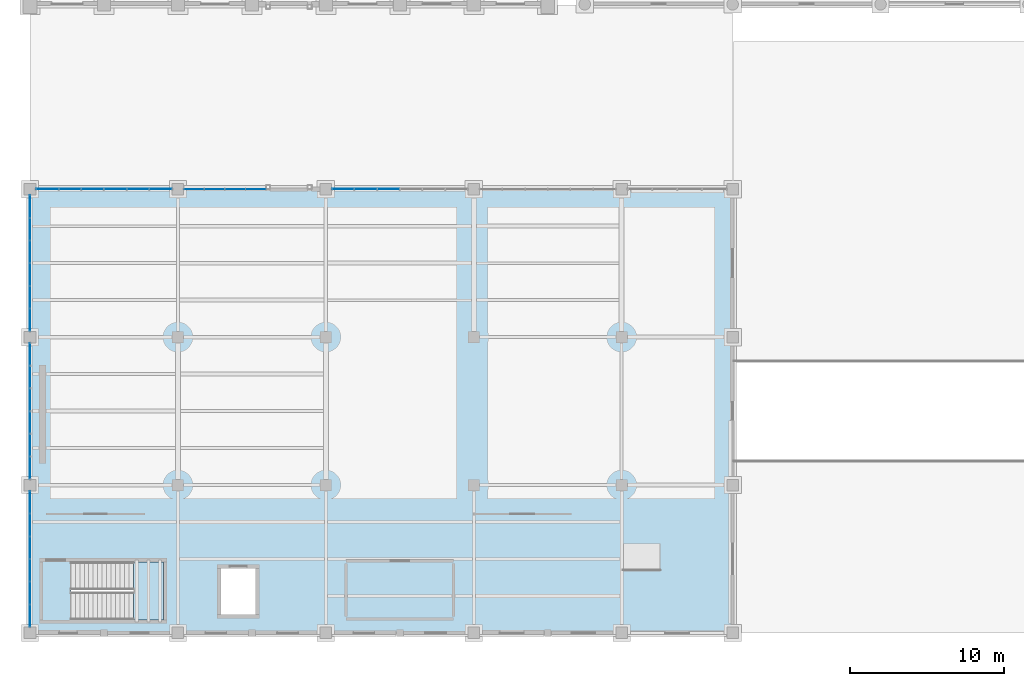
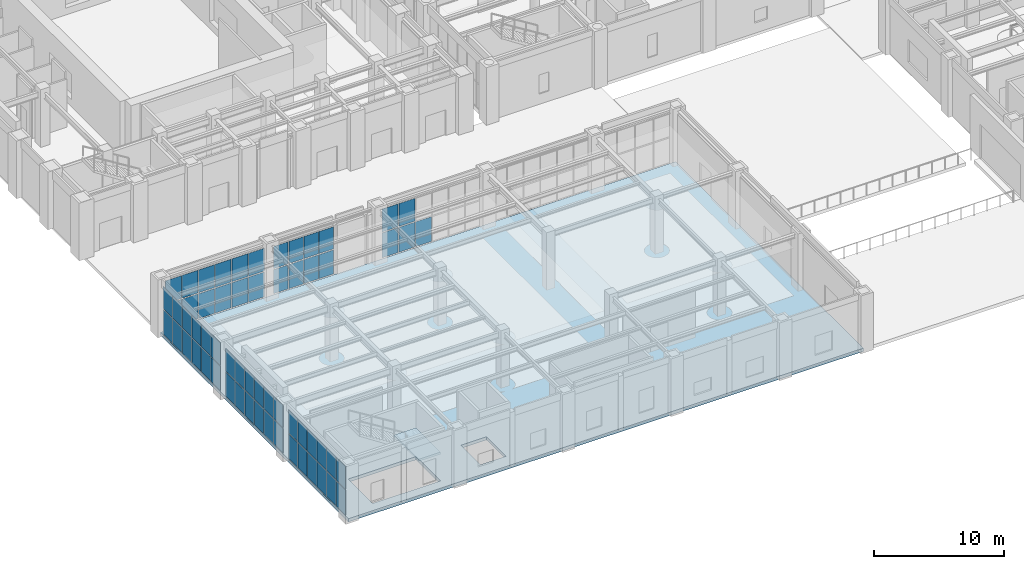
# One storey, part 115 of 164: 61 plates, 2 slabs, 7 elements without a shape of their own.
"""IFC4 building model written with IfcOpenShell, lengths in metres."""

from ifc_helpers import new_model, si_unit, direction, frame, origin, origin_2d, place, context, subcontext, project, spatial, polyline, rectangle, outline, extrude, material, layer, layer_set, type_object, element, aggregate, save


model = new_model("IFC4")

# Units and contexts
model_context = context("Model", 3, precision=1e-05, world=origin(), true_north=direction((0.0, 1.0)))
body_context = subcontext(model_context, "Body", "Model", "MODEL_VIEW")
ifc_project = project(units=[si_unit("LENGTHUNIT", "METRE"), si_unit("AREAUNIT", "SQUARE_METRE"), si_unit("VOLUMEUNIT", "CUBIC_METRE"), si_unit("PLANEANGLEUNIT", "RADIAN"), si_unit("MASSUNIT", "GRAM", prefix="KILO")], contexts=[model_context])

# Site, building, storey
site_placement = place(None, origin())
site = spatial("IfcSite", under=ifc_project, at=site_placement, CompositionType="ELEMENT")
building_placement = place(site_placement, origin())
building = spatial("IfcBuilding", under=site, at=building_placement, Name="Mavantir Sound Aquarium", CompositionType="ELEMENT")
storey_placement = place(building_placement, origin())
storey = spatial("IfcBuildingStorey", under=building, at=storey_placement, Name="L00", CompositionType="ELEMENT", Elevation=0.0)

# Curtain wall, plates
ifc_material_1 = material(Name="Anodised Marine Aluminium and Low-E Glass", Category="aluminium")
curtain_wall_type_1 = type_object("IfcCurtainWallType", Name="CW-T09", PredefinedType="USERDEFINED", material=ifc_material_1)
curtain_wall_1_placement = place(storey_placement, origin())
curtain_wall_1 = element("IfcCurtainWall", 1, at=curtain_wall_1_placement, inside=storey, type_object=curtain_wall_type_1, Name="L00 unitised curtain wall CW-09 9", ObjectType="UNITISED GLAZING", PredefinedType="USERDEFINED")
ifc_material_2 = material(Name="Solar-Control Laminated Low-E Glass", Category="glass")
ifc_layer_1 = layer(ifc_material_2, 0.028076171875, Name="Solar-Control Laminated Low-E Glass")
ifc_layer_set_1 = layer_set([ifc_layer_1], Name="Solar-Control Laminated Low-E Glass")
plate_type_1 = type_object("IfcPlateType", Name="CW-PNL-28", PredefinedType="CURTAIN_PANEL", material=ifc_layer_set_1)
plate_1_placement = place(storey_placement, frame((14.650146484375, 28.800048828125, 0.10302734375), z_axis=(0.0, 0.0, 1.0), x_axis=(-1.0, 0.0, 0.0)))
plate_1 = element("IfcPlate", 2, at=plate_1_placement, type_object=plate_type_1, Name="CW-L00-009 glazed curtain panel 1.1", PredefinedType="CURTAIN_PANEL", context=body_context, shape_type="SweptSolid", body=[
    extrude(rectangle(XDim=1.285400390625, YDim=0.028076171875, at=origin_2d()), origin(), (0.0, 0.0, 1.0), 2.251953125),
])
plate_2_placement = place(storey_placement, frame((14.650146484375, 28.800048828125, 2.45068359375), z_axis=(0.0, 0.0, 1.0), x_axis=(-1.0, 0.0, 0.0)))
plate_2 = element("IfcPlate", 3, at=plate_2_placement, type_object=plate_type_1, Name="CW-L00-009 glazed curtain panel 1.2", PredefinedType="CURTAIN_PANEL", context=body_context, shape_type="SweptSolid", body=[
    extrude(rectangle(XDim=1.285400390625, YDim=0.028076171875, at=origin_2d()), origin(), (0.0, 0.0, 1.0), 2.067138671875),
])
plate_3_placement = place(storey_placement, frame((13.31689453125, 28.800048828125, 0.10302734375), z_axis=(0.0, 0.0, 1.0), x_axis=(-1.0, 0.0, 0.0)))
plate_3 = element("IfcPlate", 4, at=plate_3_placement, type_object=plate_type_1, Name="CW-L00-009 glazed curtain panel 2.1", PredefinedType="CURTAIN_PANEL", context=body_context, shape_type="SweptSolid", body=[
    extrude(rectangle(XDim=1.285400390625, YDim=0.028076171875, at=origin_2d()), origin(), (0.0, 0.0, 1.0), 2.251953125),
])
plate_4_placement = place(storey_placement, frame((13.31689453125, 28.800048828125, 2.45068359375), z_axis=(0.0, 0.0, 1.0), x_axis=(-1.0, 0.0, 0.0)))
plate_4 = element("IfcPlate", 5, at=plate_4_placement, type_object=plate_type_1, Name="CW-L00-009 glazed curtain panel 2.2", PredefinedType="CURTAIN_PANEL", context=body_context, shape_type="SweptSolid", body=[
    extrude(rectangle(XDim=1.285400390625, YDim=0.028076171875, at=origin_2d()), origin(), (0.0, 0.0, 1.0), 2.067138671875),
])
plate_5_placement = place(storey_placement, frame((11.983154296875, 28.800048828125, 0.10302734375), z_axis=(0.0, 0.0, 1.0), x_axis=(-1.0, 0.0, 0.0)))
plate_5 = element("IfcPlate", 6, at=plate_5_placement, type_object=plate_type_1, Name="CW-L00-009 glazed curtain panel 3.1", PredefinedType="CURTAIN_PANEL", context=body_context, shape_type="SweptSolid", body=[
    extrude(rectangle(XDim=1.285400390625, YDim=0.028076171875, at=origin_2d()), origin(), (0.0, 0.0, 1.0), 2.251953125),
])
plate_6_placement = place(storey_placement, frame((11.983154296875, 28.800048828125, 2.45068359375), z_axis=(0.0, 0.0, 1.0), x_axis=(-1.0, 0.0, 0.0)))
plate_6 = element("IfcPlate", 7, at=plate_6_placement, type_object=plate_type_1, Name="CW-L00-009 glazed curtain panel 3.2", PredefinedType="CURTAIN_PANEL", context=body_context, shape_type="SweptSolid", body=[
    extrude(rectangle(XDim=1.285400390625, YDim=0.028076171875, at=origin_2d()), origin(), (0.0, 0.0, 1.0), 2.067138671875),
])
plate_7_placement = place(storey_placement, frame((10.64990234375, 28.800048828125, 0.10302734375), z_axis=(0.0, 0.0, 1.0), x_axis=(-1.0, 0.0, 0.0)))
plate_7 = element("IfcPlate", 8, at=plate_7_placement, type_object=plate_type_1, Name="CW-L00-009 glazed curtain panel 4.1", PredefinedType="CURTAIN_PANEL", context=body_context, shape_type="SweptSolid", body=[
    extrude(rectangle(XDim=1.285400390625, YDim=0.028076171875, at=origin_2d()), origin(), (0.0, 0.0, 1.0), 2.251953125),
])
plate_8_placement = place(storey_placement, frame((10.64990234375, 28.800048828125, 2.45068359375), z_axis=(0.0, 0.0, 1.0), x_axis=(-1.0, 0.0, 0.0)))
plate_8 = element("IfcPlate", 9, at=plate_8_placement, type_object=plate_type_1, Name="CW-L00-009 glazed curtain panel 4.2", PredefinedType="CURTAIN_PANEL", context=body_context, shape_type="SweptSolid", body=[
    extrude(rectangle(XDim=1.285400390625, YDim=0.028076171875, at=origin_2d()), origin(), (0.0, 0.0, 1.0), 2.067138671875),
])
aggregate(curtain_wall_1, [plate_1, plate_2, plate_3, plate_4, plate_5, plate_6, plate_7, plate_8])

curtain_wall_type_2 = type_object("IfcCurtainWallType", Name="CW-T11", PredefinedType="USERDEFINED", material=ifc_material_1)
curtain_wall_2_placement = place(storey_placement, origin())
curtain_wall_2 = element("IfcCurtainWall", 10, at=curtain_wall_2_placement, inside=storey, type_object=curtain_wall_type_2, Name="L00 unitised curtain wall CW-11 11", ObjectType="UNITISED GLAZING", PredefinedType="USERDEFINED")
plate_9_placement = place(storey_placement, frame((0.0, 27.680908203125, 0.10302734375), z_axis=(0.0, 0.0, 1.0), x_axis=(0.0, -1.0, 0.0)))
plate_9 = element("IfcPlate", 11, at=plate_9_placement, type_object=plate_type_1, Name="CW-L00-011 glazed curtain panel 1.1", PredefinedType="CURTAIN_PANEL", context=body_context, shape_type="SweptSolid", body=[
    extrude(rectangle(XDim=1.42431640625, YDim=0.028076171875, at=origin_2d()), origin(), (0.0, 0.0, 1.0), 2.2666015625),
])
plate_10_placement = place(storey_placement, frame((0.0, 27.680908203125, 2.46533203125), z_axis=(0.0, 0.0, 1.0), x_axis=(0.0, -1.0, 0.0)))
plate_10 = element("IfcPlate", 12, at=plate_10_placement, type_object=plate_type_1, Name="CW-L00-011 glazed curtain panel 1.2", PredefinedType="CURTAIN_PANEL", context=body_context, shape_type="SweptSolid", body=[
    extrude(rectangle(XDim=1.42431640625, YDim=0.028076171875, at=origin_2d()), origin(), (0.0, 0.0, 1.0), 2.08056640625),
])
plate_11_placement = place(storey_placement, frame((0.0, 26.20849609375, 0.10302734375), z_axis=(0.0, 0.0, 1.0), x_axis=(0.0, -1.0, 0.0)))
plate_11 = element("IfcPlate", 13, at=plate_11_placement, type_object=plate_type_1, Name="CW-L00-011 glazed curtain panel 2.1", PredefinedType="CURTAIN_PANEL", context=body_context, shape_type="SweptSolid", body=[
    extrude(rectangle(XDim=1.42431640625, YDim=0.028076171875, at=origin_2d()), origin(), (0.0, 0.0, 1.0), 2.2666015625),
])
plate_12_placement = place(storey_placement, frame((0.0, 26.20849609375, 2.46533203125), z_axis=(0.0, 0.0, 1.0), x_axis=(0.0, -1.0, 0.0)))
plate_12 = element("IfcPlate", 14, at=plate_12_placement, type_object=plate_type_1, Name="CW-L00-011 glazed curtain panel 2.2", PredefinedType="CURTAIN_PANEL", context=body_context, shape_type="SweptSolid", body=[
    extrude(rectangle(XDim=1.42431640625, YDim=0.028076171875, at=origin_2d()), origin(), (0.0, 0.0, 1.0), 2.08056640625),
])
plate_13_placement = place(storey_placement, frame((0.0, 24.736083984375, 0.10302734375), z_axis=(0.0, 0.0, 1.0), x_axis=(0.0, -1.0, 0.0)))
plate_13 = element("IfcPlate", 15, at=plate_13_placement, type_object=plate_type_1, Name="CW-L00-011 glazed curtain panel 3.1", PredefinedType="CURTAIN_PANEL", context=body_context, shape_type="SweptSolid", body=[
    extrude(rectangle(XDim=1.42431640625, YDim=0.028076171875, at=origin_2d()), origin(), (0.0, 0.0, 1.0), 2.2666015625),
])
plate_14_placement = place(storey_placement, frame((0.0, 24.736083984375, 2.46533203125), z_axis=(0.0, 0.0, 1.0), x_axis=(0.0, -1.0, 0.0)))
plate_14 = element("IfcPlate", 16, at=plate_14_placement, type_object=plate_type_1, Name="CW-L00-011 glazed curtain panel 3.2", PredefinedType="CURTAIN_PANEL", context=body_context, shape_type="SweptSolid", body=[
    extrude(rectangle(XDim=1.42431640625, YDim=0.028076171875, at=origin_2d()), origin(), (0.0, 0.0, 1.0), 2.08056640625),
])
plate_15_placement = place(storey_placement, frame((0.0, 23.263916015625, 0.10302734375), z_axis=(0.0, 0.0, 1.0), x_axis=(0.0, -1.0, 0.0)))
plate_15 = element("IfcPlate", 17, at=plate_15_placement, type_object=plate_type_1, Name="CW-L00-011 glazed curtain panel 4.1", PredefinedType="CURTAIN_PANEL", context=body_context, shape_type="SweptSolid", body=[
    extrude(rectangle(XDim=1.42431640625, YDim=0.028076171875, at=origin_2d()), origin(), (0.0, 0.0, 1.0), 2.2666015625),
])
plate_16_placement = place(storey_placement, frame((0.0, 23.263916015625, 2.46533203125), z_axis=(0.0, 0.0, 1.0), x_axis=(0.0, -1.0, 0.0)))
plate_16 = element("IfcPlate", 18, at=plate_16_placement, type_object=plate_type_1, Name="CW-L00-011 glazed curtain panel 4.2", PredefinedType="CURTAIN_PANEL", context=body_context, shape_type="SweptSolid", body=[
    extrude(rectangle(XDim=1.42431640625, YDim=0.028076171875, at=origin_2d()), origin(), (0.0, 0.0, 1.0), 2.08056640625),
])
plate_17_placement = place(storey_placement, frame((0.0, 21.79150390625, 0.10302734375), z_axis=(0.0, 0.0, 1.0), x_axis=(0.0, -1.0, 0.0)))
plate_17 = element("IfcPlate", 19, at=plate_17_placement, type_object=plate_type_1, Name="CW-L00-011 glazed curtain panel 5.1", PredefinedType="CURTAIN_PANEL", context=body_context, shape_type="SweptSolid", body=[
    extrude(rectangle(XDim=1.42431640625, YDim=0.028076171875, at=origin_2d()), origin(), (0.0, 0.0, 1.0), 2.2666015625),
])
plate_18_placement = place(storey_placement, frame((0.0, 21.79150390625, 2.46533203125), z_axis=(0.0, 0.0, 1.0), x_axis=(0.0, -1.0, 0.0)))
plate_18 = element("IfcPlate", 20, at=plate_18_placement, type_object=plate_type_1, Name="CW-L00-011 glazed curtain panel 5.2", PredefinedType="CURTAIN_PANEL", context=body_context, shape_type="SweptSolid", body=[
    extrude(rectangle(XDim=1.42431640625, YDim=0.028076171875, at=origin_2d()), origin(), (0.0, 0.0, 1.0), 2.08056640625),
])
plate_19_placement = place(storey_placement, frame((0.0, 20.319091796875, 0.10302734375), z_axis=(0.0, 0.0, 1.0), x_axis=(0.0, -1.0, 0.0)))
plate_19 = element("IfcPlate", 21, at=plate_19_placement, type_object=plate_type_1, Name="CW-L00-011 glazed curtain panel 6.1", PredefinedType="CURTAIN_PANEL", context=body_context, shape_type="SweptSolid", body=[
    extrude(rectangle(XDim=1.42431640625, YDim=0.028076171875, at=origin_2d()), origin(), (0.0, 0.0, 1.0), 2.2666015625),
])
plate_20_placement = place(storey_placement, frame((0.0, 20.319091796875, 2.46533203125), z_axis=(0.0, 0.0, 1.0), x_axis=(0.0, -1.0, 0.0)))
plate_20 = element("IfcPlate", 22, at=plate_20_placement, type_object=plate_type_1, Name="CW-L00-011 glazed curtain panel 6.2", PredefinedType="CURTAIN_PANEL", context=body_context, shape_type="SweptSolid", body=[
    extrude(rectangle(XDim=1.42431640625, YDim=0.028076171875, at=origin_2d()), origin(), (0.0, 0.0, 1.0), 2.08056640625),
])
aggregate(curtain_wall_2, [plate_9, plate_10, plate_11, plate_12, plate_13, plate_14, plate_15, plate_16, plate_17, plate_18, plate_19, plate_20])

curtain_wall_type_3 = type_object("IfcCurtainWallType", Name="CW-T13", PredefinedType="USERDEFINED", material=ifc_material_1)
curtain_wall_3_placement = place(storey_placement, origin())
curtain_wall_3 = element("IfcCurtainWall", 23, at=curtain_wall_3_placement, inside=storey, type_object=curtain_wall_type_3, Name="L00 unitised curtain wall CW-13 13", ObjectType="UNITISED GLAZING", PredefinedType="USERDEFINED")
plate_21_placement = place(storey_placement, frame((0.0, 8.480712890625, 0.10302734375), z_axis=(0.0, 0.0, 1.0), x_axis=(0.0, -1.0, 0.0)))
plate_21 = element("IfcPlate", 24, at=plate_21_placement, type_object=plate_type_1, Name="CW-L00-013 glazed curtain panel 1.1", PredefinedType="CURTAIN_PANEL", context=body_context, shape_type="SweptSolid", body=[
    extrude(rectangle(XDim=1.42431640625, YDim=0.028076171875, at=origin_2d()), origin(), (0.0, 0.0, 1.0), 2.3232421875),
])
plate_22_placement = place(storey_placement, frame((0.0, 8.480712890625, 2.522216796875), z_axis=(0.0, 0.0, 1.0), x_axis=(0.0, -1.0, 0.0)))
plate_22 = element("IfcPlate", 25, at=plate_22_placement, type_object=plate_type_1, Name="CW-L00-013 glazed curtain panel 1.2", PredefinedType="CURTAIN_PANEL", context=body_context, shape_type="SweptSolid", body=[
    extrude(rectangle(XDim=1.42431640625, YDim=0.028076171875, at=origin_2d()), origin(), (0.0, 0.0, 1.0), 2.1328125),
])
plate_23_placement = place(storey_placement, frame((0.0, 7.008544921875, 0.10302734375), z_axis=(0.0, 0.0, 1.0), x_axis=(0.0, -1.0, 0.0)))
plate_23 = element("IfcPlate", 26, at=plate_23_placement, type_object=plate_type_1, Name="CW-L00-013 glazed curtain panel 2.1", PredefinedType="CURTAIN_PANEL", context=body_context, shape_type="SweptSolid", body=[
    extrude(rectangle(XDim=1.42431640625, YDim=0.028076171875, at=origin_2d()), origin(), (0.0, 0.0, 1.0), 2.3232421875),
])
plate_24_placement = place(storey_placement, frame((0.0, 7.008544921875, 2.522216796875), z_axis=(0.0, 0.0, 1.0), x_axis=(0.0, -1.0, 0.0)))
plate_24 = element("IfcPlate", 27, at=plate_24_placement, type_object=plate_type_1, Name="CW-L00-013 glazed curtain panel 2.2", PredefinedType="CURTAIN_PANEL", context=body_context, shape_type="SweptSolid", body=[
    extrude(rectangle(XDim=1.42431640625, YDim=0.028076171875, at=origin_2d()), origin(), (0.0, 0.0, 1.0), 2.1328125),
])
plate_25_placement = place(storey_placement, frame((0.0, 5.5361328125, 0.10302734375), z_axis=(0.0, 0.0, 1.0), x_axis=(0.0, -1.0, 0.0)))
plate_25 = element("IfcPlate", 28, at=plate_25_placement, type_object=plate_type_1, Name="CW-L00-013 glazed curtain panel 3.1", PredefinedType="CURTAIN_PANEL", context=body_context, shape_type="SweptSolid", body=[
    extrude(rectangle(XDim=1.42431640625, YDim=0.028076171875, at=origin_2d()), origin(), (0.0, 0.0, 1.0), 2.3232421875),
])
plate_26_placement = place(storey_placement, frame((0.0, 5.5361328125, 2.522216796875), z_axis=(0.0, 0.0, 1.0), x_axis=(0.0, -1.0, 0.0)))
plate_26 = element("IfcPlate", 29, at=plate_26_placement, type_object=plate_type_1, Name="CW-L00-013 glazed curtain panel 3.2", PredefinedType="CURTAIN_PANEL", context=body_context, shape_type="SweptSolid", body=[
    extrude(rectangle(XDim=1.42431640625, YDim=0.028076171875, at=origin_2d()), origin(), (0.0, 0.0, 1.0), 2.1328125),
])
plate_27_placement = place(storey_placement, frame((0.0, 4.063720703125, 0.10302734375), z_axis=(0.0, 0.0, 1.0), x_axis=(0.0, -1.0, 0.0)))
plate_27 = element("IfcPlate", 30, at=plate_27_placement, type_object=plate_type_1, Name="CW-L00-013 glazed curtain panel 4.1", PredefinedType="CURTAIN_PANEL", context=body_context, shape_type="SweptSolid", body=[
    extrude(rectangle(XDim=1.42431640625, YDim=0.028076171875, at=origin_2d()), origin(), (0.0, 0.0, 1.0), 2.3232421875),
])
plate_28_placement = place(storey_placement, frame((0.0, 4.063720703125, 2.522216796875), z_axis=(0.0, 0.0, 1.0), x_axis=(0.0, -1.0, 0.0)))
plate_28 = element("IfcPlate", 31, at=plate_28_placement, type_object=plate_type_1, Name="CW-L00-013 glazed curtain panel 4.2", PredefinedType="CURTAIN_PANEL", context=body_context, shape_type="SweptSolid", body=[
    extrude(rectangle(XDim=1.42431640625, YDim=0.028076171875, at=origin_2d()), origin(), (0.0, 0.0, 1.0), 2.1328125),
])
plate_29_placement = place(storey_placement, frame((0.0, 2.591552734375, 0.10302734375), z_axis=(0.0, 0.0, 1.0), x_axis=(0.0, -1.0, 0.0)))
plate_29 = element("IfcPlate", 32, at=plate_29_placement, type_object=plate_type_1, Name="CW-L00-013 glazed curtain panel 5.1", PredefinedType="CURTAIN_PANEL", context=body_context, shape_type="SweptSolid", body=[
    extrude(rectangle(XDim=1.42431640625, YDim=0.028076171875, at=origin_2d()), origin(), (0.0, 0.0, 1.0), 2.3232421875),
])
plate_30_placement = place(storey_placement, frame((0.0, 2.591552734375, 2.522216796875), z_axis=(0.0, 0.0, 1.0), x_axis=(0.0, -1.0, 0.0)))
plate_30 = element("IfcPlate", 33, at=plate_30_placement, type_object=plate_type_1, Name="CW-L00-013 glazed curtain panel 5.2", PredefinedType="CURTAIN_PANEL", context=body_context, shape_type="SweptSolid", body=[
    extrude(rectangle(XDim=1.42431640625, YDim=0.028076171875, at=origin_2d()), origin(), (0.0, 0.0, 1.0), 2.1328125),
])
plate_31_placement = place(storey_placement, frame((0.0, 1.119140625, 0.10302734375), z_axis=(0.0, 0.0, 1.0), x_axis=(0.0, -1.0, 0.0)))
plate_31 = element("IfcPlate", 34, at=plate_31_placement, type_object=plate_type_1, Name="CW-L00-013 glazed curtain panel 6.1", PredefinedType="CURTAIN_PANEL", context=body_context, shape_type="SweptSolid", body=[
    extrude(rectangle(XDim=1.42431640625, YDim=0.028076171875, at=origin_2d()), origin(), (0.0, 0.0, 1.0), 2.3232421875),
])
plate_32_placement = place(storey_placement, frame((0.0, 1.119140625, 2.522216796875), z_axis=(0.0, 0.0, 1.0), x_axis=(0.0, -1.0, 0.0)))
plate_32 = element("IfcPlate", 35, at=plate_32_placement, type_object=plate_type_1, Name="CW-L00-013 glazed curtain panel 6.2", PredefinedType="CURTAIN_PANEL", context=body_context, shape_type="SweptSolid", body=[
    extrude(rectangle(XDim=1.42431640625, YDim=0.028076171875, at=origin_2d()), origin(), (0.0, 0.0, 1.0), 2.1328125),
])
aggregate(curtain_wall_3, [plate_21, plate_22, plate_23, plate_24, plate_25, plate_26, plate_27, plate_28, plate_29, plate_30, plate_31, plate_32])

curtain_wall_type_4 = type_object("IfcCurtainWallType", Name="CW-T08", PredefinedType="USERDEFINED", material=ifc_material_1)
curtain_wall_4_placement = place(storey_placement, origin())
curtain_wall_4 = element("IfcCurtainWall", 36, at=curtain_wall_4_placement, inside=storey, type_object=curtain_wall_type_4, Name="L00 unitised curtain wall CW-08 8", ObjectType="UNITISED GLAZING", PredefinedType="USERDEFINED")
ifc_layer_2 = layer(ifc_material_2, 0.031982421875, Name="Solar-Control Laminated Low-E Glass")
ifc_layer_set_2 = layer_set([ifc_layer_2], Name="Solar-Control Laminated Low-E Glass")
plate_type_2 = type_object("IfcPlateType", Name="CW-PNL-32", PredefinedType="CURTAIN_PANEL", material=ifc_layer_set_2)
plate_33_placement = place(storey_placement, frame((23.263916015625, 28.800048828125, 0.10302734375), z_axis=(0.0, 0.0, 1.0), x_axis=(-1.0, 0.0, 0.0)))
plate_33 = element("IfcPlate", 37, at=plate_33_placement, type_object=plate_type_2, Name="CW-L00-008 glazed curtain panel 4.1", PredefinedType="CURTAIN_PANEL", context=body_context, shape_type="SweptSolid", body=[
    extrude(rectangle(XDim=1.42431640625, YDim=0.031982421875, at=origin_2d()), origin(), (0.0, 0.0, 1.0), 2.3232421875),
])
plate_34_placement = place(storey_placement, frame((21.79150390625, 28.800048828125, 0.10302734375), z_axis=(0.0, 0.0, 1.0), x_axis=(-1.0, 0.0, 0.0)))
plate_34 = element("IfcPlate", 38, at=plate_34_placement, type_object=plate_type_2, Name="CW-L00-008 glazed curtain panel 5.1", PredefinedType="CURTAIN_PANEL", context=body_context, shape_type="SweptSolid", body=[
    extrude(rectangle(XDim=1.42431640625, YDim=0.031982421875, at=origin_2d()), origin(), (0.0, 0.0, 1.0), 2.3232421875),
])
plate_35_placement = place(storey_placement, frame((21.79150390625, 28.800048828125, 2.522216796875), z_axis=(0.0, 0.0, 1.0), x_axis=(-1.0, 0.0, 0.0)))
plate_35 = element("IfcPlate", 39, at=plate_35_placement, type_object=plate_type_2, Name="CW-L00-008 glazed curtain panel 5.2", PredefinedType="CURTAIN_PANEL", context=body_context, shape_type="SweptSolid", body=[
    extrude(rectangle(XDim=1.42431640625, YDim=0.031982421875, at=origin_2d()), origin(), (0.0, 0.0, 1.0), 2.1328125),
])
plate_36_placement = place(storey_placement, frame((20.319091796875, 28.800048828125, 0.10302734375), z_axis=(0.0, 0.0, 1.0), x_axis=(-1.0, 0.0, 0.0)))
plate_36 = element("IfcPlate", 40, at=plate_36_placement, type_object=plate_type_2, Name="CW-L00-008 glazed curtain panel 6.1", PredefinedType="CURTAIN_PANEL", context=body_context, shape_type="SweptSolid", body=[
    extrude(rectangle(XDim=1.42431640625, YDim=0.031982421875, at=origin_2d()), origin(), (0.0, 0.0, 1.0), 2.3232421875),
])
plate_37_placement = place(storey_placement, frame((20.319091796875, 28.800048828125, 2.522216796875), z_axis=(0.0, 0.0, 1.0), x_axis=(-1.0, 0.0, 0.0)))
plate_37 = element("IfcPlate", 41, at=plate_37_placement, type_object=plate_type_2, Name="CW-L00-008 glazed curtain panel 6.2", PredefinedType="CURTAIN_PANEL", context=body_context, shape_type="SweptSolid", body=[
    extrude(rectangle(XDim=1.42431640625, YDim=0.031982421875, at=origin_2d()), origin(), (0.0, 0.0, 1.0), 2.1328125),
])
aggregate(curtain_wall_4, [plate_33, plate_34, plate_35, plate_36, plate_37])

curtain_wall_type_5 = type_object("IfcCurtainWallType", Name="CW-T10", PredefinedType="USERDEFINED", material=ifc_material_1)
curtain_wall_5_placement = place(storey_placement, origin())
curtain_wall_5 = element("IfcCurtainWall", 42, at=curtain_wall_5_placement, inside=storey, type_object=curtain_wall_type_5, Name="L00 unitised curtain wall CW-10 10", ObjectType="UNITISED GLAZING", PredefinedType="USERDEFINED")
plate_38_placement = place(storey_placement, frame((8.480712890625, 28.800048828125, 0.10302734375), z_axis=(0.0, 0.0, 1.0), x_axis=(-1.0, 0.0, 0.0)))
plate_38 = element("IfcPlate", 43, at=plate_38_placement, type_object=plate_type_2, Name="CW-L00-010 glazed curtain panel 1.1", PredefinedType="CURTAIN_PANEL", context=body_context, shape_type="SweptSolid", body=[
    extrude(rectangle(XDim=1.42431640625, YDim=0.031982421875, at=origin_2d()), origin(), (0.0, 0.0, 1.0), 2.3232421875),
])
plate_39_placement = place(storey_placement, frame((8.480712890625, 28.800048828125, 2.522216796875), z_axis=(0.0, 0.0, 1.0), x_axis=(-1.0, 0.0, 0.0)))
plate_39 = element("IfcPlate", 44, at=plate_39_placement, type_object=plate_type_2, Name="CW-L00-010 glazed curtain panel 1.2", PredefinedType="CURTAIN_PANEL", context=body_context, shape_type="SweptSolid", body=[
    extrude(rectangle(XDim=1.42431640625, YDim=0.031982421875, at=origin_2d()), origin(), (0.0, 0.0, 1.0), 2.1328125),
])
plate_40_placement = place(storey_placement, frame((7.008544921875, 28.800048828125, 0.10302734375), z_axis=(0.0, 0.0, 1.0), x_axis=(-1.0, 0.0, 0.0)))
plate_40 = element("IfcPlate", 45, at=plate_40_placement, type_object=plate_type_2, Name="CW-L00-010 glazed curtain panel 2.1", PredefinedType="CURTAIN_PANEL", context=body_context, shape_type="SweptSolid", body=[
    extrude(rectangle(XDim=1.42431640625, YDim=0.031982421875, at=origin_2d()), origin(), (0.0, 0.0, 1.0), 2.3232421875),
])
plate_41_placement = place(storey_placement, frame((7.008544921875, 28.800048828125, 2.522216796875), z_axis=(0.0, 0.0, 1.0), x_axis=(-1.0, 0.0, 0.0)))
plate_41 = element("IfcPlate", 46, at=plate_41_placement, type_object=plate_type_2, Name="CW-L00-010 glazed curtain panel 2.2", PredefinedType="CURTAIN_PANEL", context=body_context, shape_type="SweptSolid", body=[
    extrude(rectangle(XDim=1.42431640625, YDim=0.031982421875, at=origin_2d()), origin(), (0.0, 0.0, 1.0), 2.1328125),
])
plate_42_placement = place(storey_placement, frame((5.5361328125, 28.800048828125, 0.10302734375), z_axis=(0.0, 0.0, 1.0), x_axis=(-1.0, 0.0, 0.0)))
plate_42 = element("IfcPlate", 47, at=plate_42_placement, type_object=plate_type_2, Name="CW-L00-010 glazed curtain panel 3.1", PredefinedType="CURTAIN_PANEL", context=body_context, shape_type="SweptSolid", body=[
    extrude(rectangle(XDim=1.42431640625, YDim=0.031982421875, at=origin_2d()), origin(), (0.0, 0.0, 1.0), 2.3232421875),
])
plate_43_placement = place(storey_placement, frame((5.5361328125, 28.800048828125, 2.522216796875), z_axis=(0.0, 0.0, 1.0), x_axis=(-1.0, 0.0, 0.0)))
plate_43 = element("IfcPlate", 48, at=plate_43_placement, type_object=plate_type_2, Name="CW-L00-010 glazed curtain panel 3.2", PredefinedType="CURTAIN_PANEL", context=body_context, shape_type="SweptSolid", body=[
    extrude(rectangle(XDim=1.42431640625, YDim=0.031982421875, at=origin_2d()), origin(), (0.0, 0.0, 1.0), 2.1328125),
])
plate_44_placement = place(storey_placement, frame((4.063720703125, 28.800048828125, 0.10302734375), z_axis=(0.0, 0.0, 1.0), x_axis=(-1.0, 0.0, 0.0)))
plate_44 = element("IfcPlate", 49, at=plate_44_placement, type_object=plate_type_2, Name="CW-L00-010 glazed curtain panel 4.1", PredefinedType="CURTAIN_PANEL", context=body_context, shape_type="SweptSolid", body=[
    extrude(rectangle(XDim=1.42431640625, YDim=0.031982421875, at=origin_2d()), origin(), (0.0, 0.0, 1.0), 2.3232421875),
])
plate_45_placement = place(storey_placement, frame((4.063720703125, 28.800048828125, 2.522216796875), z_axis=(0.0, 0.0, 1.0), x_axis=(-1.0, 0.0, 0.0)))
plate_45 = element("IfcPlate", 50, at=plate_45_placement, type_object=plate_type_2, Name="CW-L00-010 glazed curtain panel 4.2", PredefinedType="CURTAIN_PANEL", context=body_context, shape_type="SweptSolid", body=[
    extrude(rectangle(XDim=1.42431640625, YDim=0.031982421875, at=origin_2d()), origin(), (0.0, 0.0, 1.0), 2.1328125),
])
plate_46_placement = place(storey_placement, frame((2.591552734375, 28.800048828125, 0.10302734375), z_axis=(0.0, 0.0, 1.0), x_axis=(-1.0, 0.0, 0.0)))
plate_46 = element("IfcPlate", 51, at=plate_46_placement, type_object=plate_type_2, Name="CW-L00-010 glazed curtain panel 5.1", PredefinedType="CURTAIN_PANEL", context=body_context, shape_type="SweptSolid", body=[
    extrude(rectangle(XDim=1.42431640625, YDim=0.031982421875, at=origin_2d()), origin(), (0.0, 0.0, 1.0), 2.3232421875),
])
plate_47_placement = place(storey_placement, frame((2.591552734375, 28.800048828125, 2.522216796875), z_axis=(0.0, 0.0, 1.0), x_axis=(-1.0, 0.0, 0.0)))
plate_47 = element("IfcPlate", 52, at=plate_47_placement, type_object=plate_type_2, Name="CW-L00-010 glazed curtain panel 5.2", PredefinedType="CURTAIN_PANEL", context=body_context, shape_type="SweptSolid", body=[
    extrude(rectangle(XDim=1.42431640625, YDim=0.031982421875, at=origin_2d()), origin(), (0.0, 0.0, 1.0), 2.1328125),
])
plate_48_placement = place(storey_placement, frame((1.119140625, 28.800048828125, 0.10302734375), z_axis=(0.0, 0.0, 1.0), x_axis=(-1.0, 0.0, 0.0)))
plate_48 = element("IfcPlate", 53, at=plate_48_placement, type_object=plate_type_2, Name="CW-L00-010 glazed curtain panel 6.1", PredefinedType="CURTAIN_PANEL", context=body_context, shape_type="SweptSolid", body=[
    extrude(rectangle(XDim=1.42431640625, YDim=0.031982421875, at=origin_2d()), origin(), (0.0, 0.0, 1.0), 2.3232421875),
])
plate_49_placement = place(storey_placement, frame((1.119140625, 28.800048828125, 2.522216796875), z_axis=(0.0, 0.0, 1.0), x_axis=(-1.0, 0.0, 0.0)))
plate_49 = element("IfcPlate", 54, at=plate_49_placement, type_object=plate_type_2, Name="CW-L00-010 glazed curtain panel 6.2", PredefinedType="CURTAIN_PANEL", context=body_context, shape_type="SweptSolid", body=[
    extrude(rectangle(XDim=1.42431640625, YDim=0.031982421875, at=origin_2d()), origin(), (0.0, 0.0, 1.0), 2.1328125),
])
aggregate(curtain_wall_5, [plate_38, plate_39, plate_40, plate_41, plate_42, plate_43, plate_44, plate_45, plate_46, plate_47, plate_48, plate_49])

curtain_wall_type_6 = type_object("IfcCurtainWallType", Name="CW-T12", PredefinedType="USERDEFINED", material=ifc_material_1)
curtain_wall_6_placement = place(storey_placement, origin())
curtain_wall_6 = element("IfcCurtainWall", 55, at=curtain_wall_6_placement, inside=storey, type_object=curtain_wall_type_6, Name="L00 unitised curtain wall CW-12 12", ObjectType="UNITISED GLAZING", PredefinedType="USERDEFINED")
plate_50_placement = place(storey_placement, frame((0.0, 18.080810546875, 0.10302734375), z_axis=(0.0, 0.0, 1.0), x_axis=(0.0, -1.0, 0.0)))
plate_50 = element("IfcPlate", 56, at=plate_50_placement, type_object=plate_type_2, Name="CW-L00-012 glazed curtain panel 1.1", PredefinedType="CURTAIN_PANEL", context=body_context, shape_type="SweptSolid", body=[
    extrude(rectangle(XDim=1.42431640625, YDim=0.031982421875, at=origin_2d()), origin(), (0.0, 0.0, 1.0), 2.2666015625),
])
plate_51_placement = place(storey_placement, frame((0.0, 18.080810546875, 2.46533203125), z_axis=(0.0, 0.0, 1.0), x_axis=(0.0, -1.0, 0.0)))
plate_51 = element("IfcPlate", 57, at=plate_51_placement, type_object=plate_type_2, Name="CW-L00-012 glazed curtain panel 1.2", PredefinedType="CURTAIN_PANEL", context=body_context, shape_type="SweptSolid", body=[
    extrude(rectangle(XDim=1.42431640625, YDim=0.031982421875, at=origin_2d()), origin(), (0.0, 0.0, 1.0), 2.08056640625),
])
plate_52_placement = place(storey_placement, frame((0.0, 16.6083984375, 0.10302734375), z_axis=(0.0, 0.0, 1.0), x_axis=(0.0, -1.0, 0.0)))
plate_52 = element("IfcPlate", 58, at=plate_52_placement, type_object=plate_type_2, Name="CW-L00-012 glazed curtain panel 2.1", PredefinedType="CURTAIN_PANEL", context=body_context, shape_type="SweptSolid", body=[
    extrude(rectangle(XDim=1.42431640625, YDim=0.031982421875, at=origin_2d()), origin(), (0.0, 0.0, 1.0), 2.2666015625),
])
plate_53_placement = place(storey_placement, frame((0.0, 16.6083984375, 2.46533203125), z_axis=(0.0, 0.0, 1.0), x_axis=(0.0, -1.0, 0.0)))
plate_53 = element("IfcPlate", 59, at=plate_53_placement, type_object=plate_type_2, Name="CW-L00-012 glazed curtain panel 2.2", PredefinedType="CURTAIN_PANEL", context=body_context, shape_type="SweptSolid", body=[
    extrude(rectangle(XDim=1.42431640625, YDim=0.031982421875, at=origin_2d()), origin(), (0.0, 0.0, 1.0), 2.08056640625),
])
plate_54_placement = place(storey_placement, frame((0.0, 15.13623046875, 0.10302734375), z_axis=(0.0, 0.0, 1.0), x_axis=(0.0, -1.0, 0.0)))
plate_54 = element("IfcPlate", 60, at=plate_54_placement, type_object=plate_type_2, Name="CW-L00-012 glazed curtain panel 3.1", PredefinedType="CURTAIN_PANEL", context=body_context, shape_type="SweptSolid", body=[
    extrude(rectangle(XDim=1.42431640625, YDim=0.031982421875, at=origin_2d()), origin(), (0.0, 0.0, 1.0), 2.2666015625),
])
plate_55_placement = place(storey_placement, frame((0.0, 15.13623046875, 2.46533203125), z_axis=(0.0, 0.0, 1.0), x_axis=(0.0, -1.0, 0.0)))
plate_55 = element("IfcPlate", 61, at=plate_55_placement, type_object=plate_type_2, Name="CW-L00-012 glazed curtain panel 3.2", PredefinedType="CURTAIN_PANEL", context=body_context, shape_type="SweptSolid", body=[
    extrude(rectangle(XDim=1.42431640625, YDim=0.031982421875, at=origin_2d()), origin(), (0.0, 0.0, 1.0), 2.08056640625),
])
plate_56_placement = place(storey_placement, frame((0.0, 13.663818359375, 0.10302734375), z_axis=(0.0, 0.0, 1.0), x_axis=(0.0, -1.0, 0.0)))
plate_56 = element("IfcPlate", 62, at=plate_56_placement, type_object=plate_type_2, Name="CW-L00-012 glazed curtain panel 4.1", PredefinedType="CURTAIN_PANEL", context=body_context, shape_type="SweptSolid", body=[
    extrude(rectangle(XDim=1.42431640625, YDim=0.031982421875, at=origin_2d()), origin(), (0.0, 0.0, 1.0), 2.2666015625),
])
plate_57_placement = place(storey_placement, frame((0.0, 13.663818359375, 2.46533203125), z_axis=(0.0, 0.0, 1.0), x_axis=(0.0, -1.0, 0.0)))
plate_57 = element("IfcPlate", 63, at=plate_57_placement, type_object=plate_type_2, Name="CW-L00-012 glazed curtain panel 4.2", PredefinedType="CURTAIN_PANEL", context=body_context, shape_type="SweptSolid", body=[
    extrude(rectangle(XDim=1.42431640625, YDim=0.031982421875, at=origin_2d()), origin(), (0.0, 0.0, 1.0), 2.08056640625),
])
plate_58_placement = place(storey_placement, frame((0.0, 12.19140625, 0.10302734375), z_axis=(0.0, 0.0, 1.0), x_axis=(0.0, -1.0, 0.0)))
plate_58 = element("IfcPlate", 64, at=plate_58_placement, type_object=plate_type_2, Name="CW-L00-012 glazed curtain panel 5.1", PredefinedType="CURTAIN_PANEL", context=body_context, shape_type="SweptSolid", body=[
    extrude(rectangle(XDim=1.42431640625, YDim=0.031982421875, at=origin_2d()), origin(), (0.0, 0.0, 1.0), 2.2666015625),
])
plate_59_placement = place(storey_placement, frame((0.0, 12.19140625, 2.46533203125), z_axis=(0.0, 0.0, 1.0), x_axis=(0.0, -1.0, 0.0)))
plate_59 = element("IfcPlate", 65, at=plate_59_placement, type_object=plate_type_2, Name="CW-L00-012 glazed curtain panel 5.2", PredefinedType="CURTAIN_PANEL", context=body_context, shape_type="SweptSolid", body=[
    extrude(rectangle(XDim=1.42431640625, YDim=0.031982421875, at=origin_2d()), origin(), (0.0, 0.0, 1.0), 2.08056640625),
])
plate_60_placement = place(storey_placement, frame((0.0, 10.71923828125, 0.10302734375), z_axis=(0.0, 0.0, 1.0), x_axis=(0.0, -1.0, 0.0)))
plate_60 = element("IfcPlate", 66, at=plate_60_placement, type_object=plate_type_2, Name="CW-L00-012 glazed curtain panel 6.1", PredefinedType="CURTAIN_PANEL", context=body_context, shape_type="SweptSolid", body=[
    extrude(rectangle(XDim=1.42431640625, YDim=0.031982421875, at=origin_2d()), origin(), (0.0, 0.0, 1.0), 2.2666015625),
])
plate_61_placement = place(storey_placement, frame((0.0, 10.71923828125, 2.46533203125), z_axis=(0.0, 0.0, 1.0), x_axis=(0.0, -1.0, 0.0)))
plate_61 = element("IfcPlate", 67, at=plate_61_placement, type_object=plate_type_2, Name="CW-L00-012 glazed curtain panel 6.2", PredefinedType="CURTAIN_PANEL", context=body_context, shape_type="SweptSolid", body=[
    extrude(rectangle(XDim=1.42431640625, YDim=0.031982421875, at=origin_2d()), origin(), (0.0, 0.0, 1.0), 2.08056640625),
])
aggregate(curtain_wall_6, [plate_50, plate_51, plate_52, plate_53, plate_54, plate_55, plate_56, plate_57, plate_58, plate_59, plate_60, plate_61])

# Slab
ifc_material_3 = material(Name="Concrete C40/50", Category="concrete")
ifc_layer_3 = layer(ifc_material_3, 0.300048828125, Name="Concrete C40/50")
ifc_layer_set_3 = layer_set([ifc_layer_3], Name="Concrete C40/50")
slab_type_1 = type_object("IfcSlabType", Name="SLB-FS-03", PredefinedType="FLOOR", material=ifc_layer_set_3)
slab_1_placement = place(storey_placement, frame((0.0, 0.0, -0.300048828125)))
element("IfcSlab", 68, at=slab_1_placement, inside=storey, type_object=slab_type_1, Name="L00 structural slab FS-03 (V3)", PredefinedType="FLOOR", context=body_context, shape_type="SweptSolid", body=[
    extrude(outline(polyline([(45.60009765625, 0.0), (45.60009765625, 28.800048828125), (0.0, 28.800048828125), (0.0, 0.0), (45.60009765625, 0.0)]), holes=[polyline([(2.64990234375, 0.85009765625), (8.64990234375, 0.85009765625), (8.64990234375, 4.60009765625), (2.64990234375, 4.60009765625), (2.64990234375, 0.85009765625)]), polyline([(12.39990234375, 1.199951171875), (14.64990234375, 1.199951171875), (14.64990234375, 4.199951171875), (12.39990234375, 4.199951171875), (12.39990234375, 1.199951171875)])]), origin(), (0.0, 0.0, 1.0), 0.300048828125),
])

# Stair, slab
stair_type = type_object("IfcStairType", Name="STR-1800-5400", PredefinedType="HALF_TURN_STAIR", material=ifc_material_3)
stair_placement = place(storey_placement, origin())
stair = element("IfcStair", 69, at=stair_placement, inside=storey, type_object=stair_type, Name="L00 Protected exit stair ST3", PredefinedType="HALF_TURN_STAIR")
ifc_layer_4 = layer(ifc_material_3, 0.199951171875, Name="Concrete C40/50")
ifc_layer_set_4 = layer_set([ifc_layer_4], Name="Concrete C40/50")
slab_type_2 = type_object("IfcSlabType", Name="SLB-LND-360", PredefinedType="LANDING", material=ifc_layer_set_4)
slab_2_placement = place(storey_placement, frame((0.0, 0.0, 2.5)))
slab_2 = element("IfcSlab", 70, at=slab_2_placement, type_object=slab_type_2, Name="ST3 landing 1", PredefinedType="LANDING", context=body_context, shape_type="SweptSolid", body=[
    extrude(outline(polyline([(6.7099609375, 0.85009765625), (8.64990234375, 0.85009765625), (8.64990234375, 4.60009765625), (6.7099609375, 4.60009765625), (6.7099609375, 0.85009765625)])), origin(), (0.0, 0.0, 1.0), 0.199951171875),
])
aggregate(stair, [slab_2])

save(model, "model.ifc")
